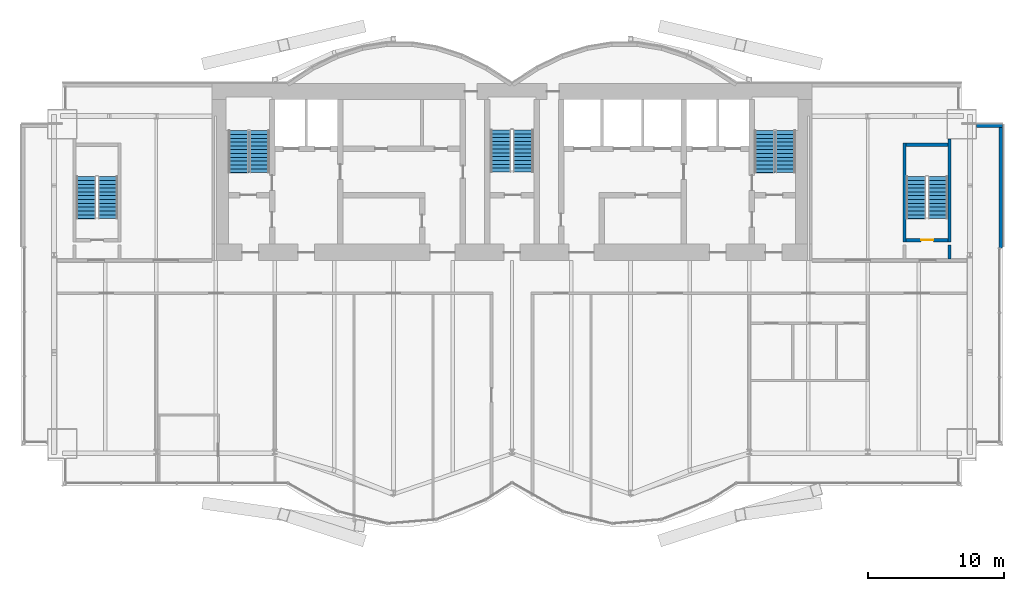
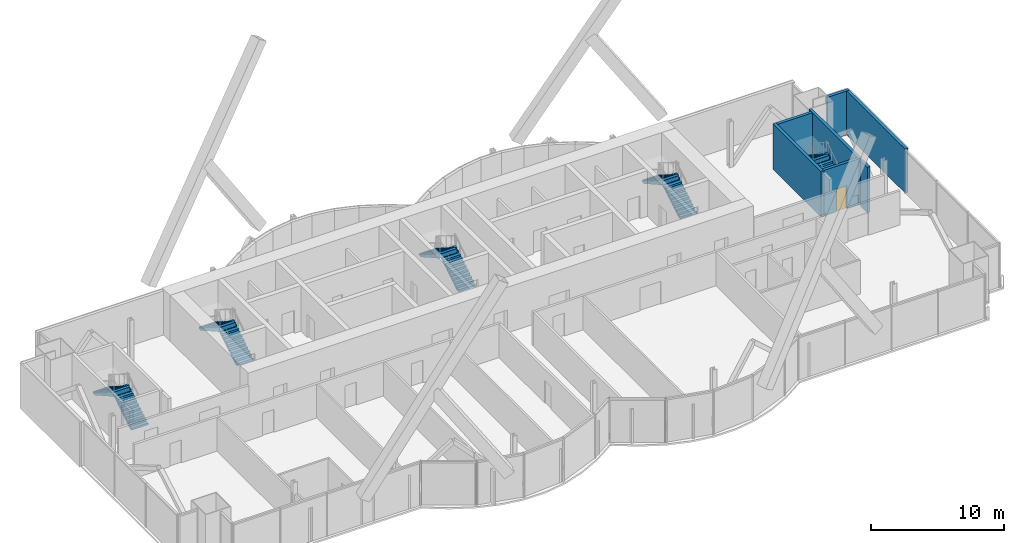
# One storey, part 19 of 22: 10 stair flights, 7 walls, 1 door, 1 opening, 5 elements without a shape of their own.
"""IFC4 building model written with IfcOpenShell, lengths in metres."""

from ifc_helpers import new_model, si_unit, direction, frame, frame_2d, origin, place, context, subcontext, project, spatial, polyline, rectangle, outline, extrude, material, layer, layer_set, layer_usage, type_object, element, fill, aggregate, save


model = new_model("IFC4")

# Units and contexts
model_context = context("Model", 3, precision=1e-05, world=origin(), true_north=direction((0.0, 1.0)))
body_context = subcontext(model_context, "Body", "Model", "MODEL_VIEW")
ifc_project = project(units=[si_unit("LENGTHUNIT", "METRE"), si_unit("AREAUNIT", "SQUARE_METRE"), si_unit("VOLUMEUNIT", "CUBIC_METRE"), si_unit("PLANEANGLEUNIT", "RADIAN"), si_unit("MASSUNIT", "GRAM", prefix="KILO")], contexts=[model_context])

# Site, building, storey
site_placement = place(None, origin())
site = spatial("IfcSite", under=ifc_project, at=site_placement, CompositionType="ELEMENT")
building_placement = place(site_placement, origin())
building = spatial("IfcBuilding", under=site, at=building_placement, Name="Bicima Exchange Tower", CompositionType="ELEMENT")
storey_placement = place(building_placement, frame((0.0, 0.0, 254.0)))
storey = spatial("IfcBuildingStorey", under=building, at=storey_placement, Name="L57", CompositionType="ELEMENT", Elevation=254.0)

# Walls
ifc_material_1 = material(Name="Concrete C50/60", Category="concrete")
ifc_layer_1 = layer(ifc_material_1, 0.25)
ifc_layer_set_1 = layer_set([ifc_layer_1], Name="Concrete C50/60")
wall_type_1 = type_object("IfcWallType", Name="RC core wall 250 C50/60", PredefinedType="SHEAR", material=ifc_layer_set_1)
wall_1_placement = place(storey_placement, frame((32.10009765625, -12.89990234375, 0.0), z_axis=(0.0, 0.0, 1.0), x_axis=(0.0, 1.0, 0.0)))
element("IfcWall", 1, at=wall_1_placement, inside=storey, type_object=wall_type_1, Name="stair wall 31", PredefinedType="SHEAR", context=body_context, shape_type="SweptSolid", body=[
    extrude(rectangle(XDim=1.0498046875, YDim=0.25, at=frame_2d((0.52490234375, 0.0))), origin(), (0.0, 0.0, 1.0), 4.199951171875),
])
ifc_layer_2 = layer(ifc_material_1, 0.25)
ifc_layer_set_2 = layer_set([ifc_layer_2], Name="Concrete C50/60")
wall_type_2 = type_object("IfcWallType", Name="RC stair enclosure wall 250 C50/60", PredefinedType="SHEAR", material=ifc_layer_set_2)
wall_2_placement = place(storey_placement, frame((28.800048828125, -11.625, 0.0), z_axis=(0.0, 0.0, 1.0), x_axis=(0.0, 1.0, 0.0)))
element("IfcWall", 2, at=wall_2_placement, inside=storey, type_object=wall_type_2, Name="East end exit stair wall W", PredefinedType="SHEAR", context=body_context, shape_type="SweptSolid", body=[
    extrude(rectangle(XDim=7.25, YDim=0.25, at=frame_2d((3.625, 0.0))), origin(), (0.0, 0.0, 1.0), 4.199951171875),
])
wall_3_placement = place(storey_placement, frame((32.10009765625, -11.625, 0.0), z_axis=(0.0, 0.0, 1.0), x_axis=(0.0, 1.0, 0.0)))
element("IfcWall", 3, at=wall_3_placement, inside=storey, type_object=wall_type_2, Name="East end exit stair wall E", PredefinedType="SHEAR", context=body_context, shape_type="SweptSolid", body=[
    extrude(rectangle(XDim=7.52490234375, YDim=0.25, at=frame_2d((3.762451171875, 0.0))), origin(), (0.0, 0.0, 1.0), 4.199951171875),
])

# Wall, opening, door
wall_4_placement = place(storey_placement, frame((28.925048828125, -11.5, 0.0), z_axis=(0.0, 0.0, 1.0), x_axis=(1.0, 0.0, 0.0)))
wall_4 = element("IfcWall", 4, at=wall_4_placement, inside=storey, type_object=wall_type_2, Name="East end exit stair wall S", PredefinedType="SHEAR", context=body_context, shape_type="SweptSolid", body=[
    extrude(rectangle(XDim=3.050048828125, YDim=0.25, at=frame_2d((1.52490234375, 0.0))), origin(), (0.0, 0.0, 1.0), 4.199951171875),
])
opening_placement = place(wall_4_placement, frame((1.10009765625, 0.0, 0.0)))
opening = element("IfcOpeningElement", 5, at=opening_placement, cuts=wall_4, Name="Opening L57-004", PredefinedType="OPENING", context=body_context, shape_type="SweptSolid", body=[
    extrude(rectangle(XDim=0.89990234375, YDim=2.10009765625, at=frame_2d((0.449951171875, 1.050048828125))), frame((0.0, 0.136962890625, 0.0), z_axis=(0.0, -1.0, 0.0), x_axis=(1.0, 0.0, 0.0)), (0.0, 0.0, 1.0), 0.27392578125),
])
ifc_material_2 = material(Name="Steel fire door leaf", Category="steel")
door_type = type_object("IfcDoorType", Name="Door 900 swing FD60S", OperationType="SINGLE_SWING_LEFT", PredefinedType="DOOR", material=ifc_material_2)
door_placement = place(opening_placement, origin())
door = element("IfcDoor", 6, at=door_placement, inside=storey, type_object=door_type, Name="Door", OperationType="SINGLE_SWING_LEFT", OverallHeight=2.10009765625, OverallWidth=0.89990234375, PredefinedType="DOOR", context=body_context, shape_type="SweptSolid", body=[
    extrude(rectangle(XDim=0.89990234375, YDim=2.10009765625, at=frame_2d((0.449951171875, 1.050048828125))), frame((0.0, 0.02490234375, 0.0), z_axis=(0.0, -1.0, 0.0), x_axis=(1.0, 0.0, 0.0)), (0.0, 0.0, 1.0), 0.050048828125),
])
fill(opening, door)

# Walls
wall_5_placement = place(storey_placement, frame((28.925048828125, -4.5, 0.0), z_axis=(0.0, 0.0, 1.0), x_axis=(1.0, 0.0, 0.0)))
element("IfcWall", 7, at=wall_5_placement, inside=storey, type_object=wall_type_2, Name="East end exit stair wall N", PredefinedType="SHEAR", context=body_context, shape_type="SweptSolid", body=[
    extrude(rectangle(XDim=3.050048828125, YDim=0.25, at=frame_2d((1.52490234375, 0.0))), origin(), (0.0, 0.0, 1.0), 4.199951171875),
])
ifc_material_3 = material(Name="Concrete C40/50", Category="concrete")
ifc_layer_3 = layer(ifc_material_3, 0.25)
ifc_layer_set_3 = layer_set([ifc_layer_3], Name="Concrete C40/50")
ifc_layer_usage = layer_usage(ifc_layer_set_3, "AXIS2", "POSITIVE", -0.125)
wall_type_3 = type_object("IfcWallType", Name="Rear backup wall 250", PredefinedType="STANDARD", material=ifc_layer_set_3)
wall_6_placement = place(storey_placement, frame((35.875, -12.090087890625, 0.0), z_axis=(0.0, 0.0, 1.0), x_axis=(0.0, 1.0, 0.0)))
element("IfcWall", 8, at=wall_6_placement, inside=storey, type_object=wall_type_3, material=ifc_layer_usage, Name="Rear backup wall L57 50", PredefinedType="STANDARD", context=body_context, shape_type="SweptSolid", body=[
    extrude(rectangle(XDim=9.090087890625, YDim=0.25, at=frame_2d((4.544921875, 0.0))), origin(), (0.0, 0.0, 1.0), 4.050048828125),
])
wall_7_placement = place(storey_placement, frame((36.0, -3.125, 0.0), z_axis=(0.0, 0.0, 1.0), x_axis=(-1.0, 0.0, 0.0)))
element("IfcWall", 9, at=wall_7_placement, inside=storey, type_object=wall_type_3, material=ifc_layer_usage, Name="Rear backup wall L57 51", PredefinedType="STANDARD", context=body_context, shape_type="SweptSolid", body=[
    extrude(rectangle(XDim=1.89990234375, YDim=0.25, at=frame_2d((0.949951171875, 0.0))), origin(), (0.0, 0.0, 1.0), 4.050048828125),
])

# Stair, stair flights
stair_type_1 = type_object("IfcStairType", Name="Exit stair", PredefinedType="HALF_TURN_STAIR", material=ifc_material_1)
stair_1_placement = place(storey_placement, origin())
stair_1 = element("IfcStair", 10, at=stair_1_placement, inside=storey, type_object=stair_type_1, Name="L57 West exit stair", PredefinedType="HALF_TURN_STAIR")
stair_flight_type_1 = type_object("IfcStairFlightType", Name="Stair flight RC", PredefinedType="STRAIGHT", material=ifc_material_1)
stair_flight_1_placement = place(storey_placement, frame((-18.52490234375, -6.550048828125, 0.0), z_axis=(0.0, 0.0, 1.0), x_axis=(0.0, 1.0, 0.0)))
stair_flight_1 = element("IfcStairFlight", 11, at=stair_flight_1_placement, type_object=stair_flight_type_1, Name="ST-W flight 1", NumberOfRisers=12, NumberOfTreads=11, PredefinedType="STRAIGHT", RiserHeight=0.175, TreadLength=0.28, context=body_context, shape_type="SweptSolid", body=[
    extrude(outline(polyline([(0.0, 0.0), (0.0, 0.175048828125), (0.280029296875, 0.175048828125), (0.280029296875, 0.35009765625), (0.56005859375, 0.35009765625), (0.56005859375, 0.52490234375), (0.840087890625, 0.52490234375), (0.840087890625, 0.699951171875), (1.1201171875, 0.699951171875), (1.1201171875, 0.875), (1.39990234375, 0.875), (1.39990234375, 1.050048828125), (1.679931640625, 1.050048828125), (1.679931640625, 1.22509765625), (1.9599609375, 1.22509765625), (1.9599609375, 1.39990234375), (2.239990234375, 1.39990234375), (2.239990234375, 1.574951171875), (2.52001953125, 1.574951171875), (2.52001953125, 1.75), (2.800048828125, 1.75), (2.800048828125, 1.925048828125), (3.080078125, 1.925048828125), (3.080078125, 2.10009765625), (3.080078125, 1.748291015625), (0.28271484375, 0.0), (0.0, 0.0)])), frame((0.0, 0.72509765625, 0.0), z_axis=(0.0, -1.0, 0.0), x_axis=(1.0, 0.0, 0.0)), (0.0, 0.0, 1.0), 1.449951171875),
])
stair_flight_2_placement = place(storey_placement, frame((-20.074951171875, -3.469970703125, 2.10009765625), z_axis=(0.0, 0.0, 1.0), x_axis=(0.0, -1.0, 0.0)))
stair_flight_2 = element("IfcStairFlight", 12, at=stair_flight_2_placement, type_object=stair_flight_type_1, Name="ST-W flight 2", NumberOfRisers=12, NumberOfTreads=11, PredefinedType="STRAIGHT", RiserHeight=0.175, TreadLength=0.28, context=body_context, shape_type="SweptSolid", body=[
    extrude(outline(polyline([(0.0, 0.0), (0.0, 0.175048828125), (0.280029296875, 0.175048828125), (0.280029296875, 0.35009765625), (0.56005859375, 0.35009765625), (0.56005859375, 0.52490234375), (0.840087890625, 0.52490234375), (0.840087890625, 0.699951171875), (1.1201171875, 0.699951171875), (1.1201171875, 0.875), (1.39990234375, 0.875), (1.39990234375, 1.050048828125), (1.679931640625, 1.050048828125), (1.679931640625, 1.22509765625), (1.9599609375, 1.22509765625), (1.9599609375, 1.39990234375), (2.239990234375, 1.39990234375), (2.239990234375, 1.574951171875), (2.52001953125, 1.574951171875), (2.52001953125, 1.75), (2.800048828125, 1.75), (2.800048828125, 1.925048828125), (3.080078125, 1.925048828125), (3.080078125, 1.9541015625), (3.094970703125, 1.9541015625), (3.094970703125, 1.58251953125), (0.28271484375, 0.0), (0.0, 0.0)])), frame((0.0, 0.72509765625, 0.0), z_axis=(0.0, -1.0, 0.0), x_axis=(1.0, 0.0, 0.0)), (0.0, 0.0, 1.0), 1.449951171875),
])
aggregate(stair_1, [stair_flight_1, stair_flight_2])

stair_2_placement = place(storey_placement, origin())
stair_2 = element("IfcStair", 13, at=stair_2_placement, inside=storey, type_object=stair_type_1, Name="L57 East exit stair", PredefinedType="HALF_TURN_STAIR")
stair_flight_3_placement = place(storey_placement, frame((20.074951171875, -6.550048828125, 0.0), z_axis=(0.0, 0.0, 1.0), x_axis=(0.0, 1.0, 0.0)))
stair_flight_3 = element("IfcStairFlight", 14, at=stair_flight_3_placement, type_object=stair_flight_type_1, Name="ST-E flight 1", NumberOfRisers=12, NumberOfTreads=11, PredefinedType="STRAIGHT", RiserHeight=0.175, TreadLength=0.28, context=body_context, shape_type="SweptSolid", body=[
    extrude(outline(polyline([(0.0, 0.0), (0.0, 0.175048828125), (0.280029296875, 0.175048828125), (0.280029296875, 0.35009765625), (0.56005859375, 0.35009765625), (0.56005859375, 0.52490234375), (0.840087890625, 0.52490234375), (0.840087890625, 0.699951171875), (1.1201171875, 0.699951171875), (1.1201171875, 0.875), (1.39990234375, 0.875), (1.39990234375, 1.050048828125), (1.679931640625, 1.050048828125), (1.679931640625, 1.22509765625), (1.9599609375, 1.22509765625), (1.9599609375, 1.39990234375), (2.239990234375, 1.39990234375), (2.239990234375, 1.574951171875), (2.52001953125, 1.574951171875), (2.52001953125, 1.75), (2.800048828125, 1.75), (2.800048828125, 1.925048828125), (3.080078125, 1.925048828125), (3.080078125, 2.10009765625), (3.080078125, 1.748291015625), (0.28271484375, 0.0), (0.0, 0.0)])), frame((0.0, 0.72509765625, 0.0), z_axis=(0.0, -1.0, 0.0), x_axis=(1.0, 0.0, 0.0)), (0.0, 0.0, 1.0), 1.449951171875),
])
stair_flight_4_placement = place(storey_placement, frame((18.52490234375, -3.469970703125, 2.10009765625), z_axis=(0.0, 0.0, 1.0), x_axis=(0.0, -1.0, 0.0)))
stair_flight_4 = element("IfcStairFlight", 15, at=stair_flight_4_placement, type_object=stair_flight_type_1, Name="ST-E flight 2", NumberOfRisers=12, NumberOfTreads=11, PredefinedType="STRAIGHT", RiserHeight=0.175, TreadLength=0.28, context=body_context, shape_type="SweptSolid", body=[
    extrude(outline(polyline([(0.0, 0.0), (0.0, 0.175048828125), (0.280029296875, 0.175048828125), (0.280029296875, 0.35009765625), (0.56005859375, 0.35009765625), (0.56005859375, 0.52490234375), (0.840087890625, 0.52490234375), (0.840087890625, 0.699951171875), (1.1201171875, 0.699951171875), (1.1201171875, 0.875), (1.39990234375, 0.875), (1.39990234375, 1.050048828125), (1.679931640625, 1.050048828125), (1.679931640625, 1.22509765625), (1.9599609375, 1.22509765625), (1.9599609375, 1.39990234375), (2.239990234375, 1.39990234375), (2.239990234375, 1.574951171875), (2.52001953125, 1.574951171875), (2.52001953125, 1.75), (2.800048828125, 1.75), (2.800048828125, 1.925048828125), (3.080078125, 1.925048828125), (3.080078125, 1.9541015625), (3.094970703125, 1.9541015625), (3.094970703125, 1.58251953125), (0.28271484375, 0.0), (0.0, 0.0)])), frame((0.0, 0.72509765625, 0.0), z_axis=(0.0, -1.0, 0.0), x_axis=(1.0, 0.0, 0.0)), (0.0, 0.0, 1.0), 1.449951171875),
])
aggregate(stair_2, [stair_flight_3, stair_flight_4])

stair_3_placement = place(storey_placement, origin())
stair_3 = element("IfcStair", 16, at=stair_3_placement, inside=storey, type_object=stair_type_1, Name="L57 West end exit stair", PredefinedType="HALF_TURN_STAIR")
stair_flight_5_placement = place(storey_placement, frame((-29.64990234375, -9.925048828125, 0.0), z_axis=(0.0, 0.0, 1.0), x_axis=(0.0, 1.0, 0.0)))
stair_flight_5 = element("IfcStairFlight", 17, at=stair_flight_5_placement, type_object=stair_flight_type_1, Name="ST-WW flight 1", NumberOfRisers=12, NumberOfTreads=11, PredefinedType="STRAIGHT", RiserHeight=0.175, TreadLength=0.28, context=body_context, shape_type="SweptSolid", body=[
    extrude(outline(polyline([(0.0, 0.0), (0.0, 0.175048828125), (0.280029296875, 0.175048828125), (0.280029296875, 0.35009765625), (0.56005859375, 0.35009765625), (0.56005859375, 0.52490234375), (0.840087890625, 0.52490234375), (0.840087890625, 0.699951171875), (1.1201171875, 0.699951171875), (1.1201171875, 0.875), (1.39990234375, 0.875), (1.39990234375, 1.050048828125), (1.679931640625, 1.050048828125), (1.679931640625, 1.22509765625), (1.9599609375, 1.22509765625), (1.9599609375, 1.39990234375), (2.239990234375, 1.39990234375), (2.239990234375, 1.574951171875), (2.52001953125, 1.574951171875), (2.52001953125, 1.75), (2.800048828125, 1.75), (2.800048828125, 1.925048828125), (3.080078125, 1.925048828125), (3.080078125, 2.10009765625), (3.080078125, 1.748291015625), (0.28271484375, 0.0), (0.0, 0.0)])), frame((0.0, 0.72509765625, 0.0), z_axis=(0.0, -1.0, 0.0), x_axis=(1.0, 0.0, 0.0)), (0.0, 0.0, 1.0), 1.449951171875),
])
stair_flight_6_placement = place(storey_placement, frame((-31.25, -6.844970703125, 2.10009765625), z_axis=(0.0, 0.0, 1.0), x_axis=(0.0, -1.0, 0.0)))
stair_flight_6 = element("IfcStairFlight", 18, at=stair_flight_6_placement, type_object=stair_flight_type_1, Name="ST-WW flight 2", NumberOfRisers=12, NumberOfTreads=11, PredefinedType="STRAIGHT", RiserHeight=0.175, TreadLength=0.28, context=body_context, shape_type="SweptSolid", body=[
    extrude(outline(polyline([(0.0, 0.0), (0.0, 0.175048828125), (0.280029296875, 0.175048828125), (0.280029296875, 0.35009765625), (0.56005859375, 0.35009765625), (0.56005859375, 0.52490234375), (0.840087890625, 0.52490234375), (0.840087890625, 0.699951171875), (1.1201171875, 0.699951171875), (1.1201171875, 0.875), (1.39990234375, 0.875), (1.39990234375, 1.050048828125), (1.679931640625, 1.050048828125), (1.679931640625, 1.22509765625), (1.9599609375, 1.22509765625), (1.9599609375, 1.39990234375), (2.239990234375, 1.39990234375), (2.239990234375, 1.574951171875), (2.52001953125, 1.574951171875), (2.52001953125, 1.75), (2.800048828125, 1.75), (2.800048828125, 1.925048828125), (3.080078125, 1.925048828125), (3.080078125, 1.9541015625), (3.094970703125, 1.9541015625), (3.094970703125, 1.58251953125), (0.28271484375, 0.0), (0.0, 0.0)])), frame((0.0, 0.72509765625, 0.0), z_axis=(0.0, -1.0, 0.0), x_axis=(1.0, 0.0, 0.0)), (0.0, 0.0, 1.0), 1.449951171875),
])
aggregate(stair_3, [stair_flight_5, stair_flight_6])

stair_4_placement = place(storey_placement, origin())
stair_4 = element("IfcStair", 19, at=stair_4_placement, inside=storey, type_object=stair_type_1, Name="L57 East end exit stair", PredefinedType="HALF_TURN_STAIR")
stair_flight_7_placement = place(storey_placement, frame((31.25, -9.925048828125, 0.0), z_axis=(0.0, 0.0, 1.0), x_axis=(0.0, 1.0, 0.0)))
stair_flight_7 = element("IfcStairFlight", 20, at=stair_flight_7_placement, type_object=stair_flight_type_1, Name="ST-EE flight 1", NumberOfRisers=12, NumberOfTreads=11, PredefinedType="STRAIGHT", RiserHeight=0.175, TreadLength=0.28, context=body_context, shape_type="SweptSolid", body=[
    extrude(outline(polyline([(0.0, 0.0), (0.0, 0.175048828125), (0.280029296875, 0.175048828125), (0.280029296875, 0.35009765625), (0.56005859375, 0.35009765625), (0.56005859375, 0.52490234375), (0.840087890625, 0.52490234375), (0.840087890625, 0.699951171875), (1.1201171875, 0.699951171875), (1.1201171875, 0.875), (1.39990234375, 0.875), (1.39990234375, 1.050048828125), (1.679931640625, 1.050048828125), (1.679931640625, 1.22509765625), (1.9599609375, 1.22509765625), (1.9599609375, 1.39990234375), (2.239990234375, 1.39990234375), (2.239990234375, 1.574951171875), (2.52001953125, 1.574951171875), (2.52001953125, 1.75), (2.800048828125, 1.75), (2.800048828125, 1.925048828125), (3.080078125, 1.925048828125), (3.080078125, 2.10009765625), (3.080078125, 1.748291015625), (0.28271484375, 0.0), (0.0, 0.0)])), frame((0.0, 0.72509765625, 0.0), z_axis=(0.0, -1.0, 0.0), x_axis=(1.0, 0.0, 0.0)), (0.0, 0.0, 1.0), 1.449951171875),
])
stair_flight_8_placement = place(storey_placement, frame((29.64990234375, -6.844970703125, 2.10009765625), z_axis=(0.0, 0.0, 1.0), x_axis=(0.0, -1.0, 0.0)))
stair_flight_8 = element("IfcStairFlight", 21, at=stair_flight_8_placement, type_object=stair_flight_type_1, Name="ST-EE flight 2", NumberOfRisers=12, NumberOfTreads=11, PredefinedType="STRAIGHT", RiserHeight=0.175, TreadLength=0.28, context=body_context, shape_type="SweptSolid", body=[
    extrude(outline(polyline([(0.0, 0.0), (0.0, 0.175048828125), (0.280029296875, 0.175048828125), (0.280029296875, 0.35009765625), (0.56005859375, 0.35009765625), (0.56005859375, 0.52490234375), (0.840087890625, 0.52490234375), (0.840087890625, 0.699951171875), (1.1201171875, 0.699951171875), (1.1201171875, 0.875), (1.39990234375, 0.875), (1.39990234375, 1.050048828125), (1.679931640625, 1.050048828125), (1.679931640625, 1.22509765625), (1.9599609375, 1.22509765625), (1.9599609375, 1.39990234375), (2.239990234375, 1.39990234375), (2.239990234375, 1.574951171875), (2.52001953125, 1.574951171875), (2.52001953125, 1.75), (2.800048828125, 1.75), (2.800048828125, 1.925048828125), (3.080078125, 1.925048828125), (3.080078125, 1.9541015625), (3.094970703125, 1.9541015625), (3.094970703125, 1.58251953125), (0.28271484375, 0.0), (0.0, 0.0)])), frame((0.0, 0.72509765625, 0.0), z_axis=(0.0, -1.0, 0.0), x_axis=(1.0, 0.0, 0.0)), (0.0, 0.0, 1.0), 1.449951171875),
])
aggregate(stair_4, [stair_flight_7, stair_flight_8])

stair_type_2 = type_object("IfcStairType", Name="Exit stair 1500", PredefinedType="HALF_TURN_STAIR", material=ifc_material_1)
stair_5_placement = place(storey_placement, origin())
stair_5 = element("IfcStair", 22, at=stair_5_placement, inside=storey, type_object=stair_type_2, Name="L57 Central exit stair", PredefinedType="HALF_TURN_STAIR")
stair_flight_type_2 = type_object("IfcStairFlightType", Name="Stair flight RC 1500", PredefinedType="STRAIGHT", material=ifc_material_1)
stair_flight_9_placement = place(storey_placement, frame((0.824951171875, -6.5, 0.0), z_axis=(0.0, 0.0, 1.0), x_axis=(0.0, 1.0, 0.0)))
stair_flight_9 = element("IfcStairFlight", 23, at=stair_flight_9_placement, type_object=stair_flight_type_2, Name="ST-C flight 1", NumberOfRisers=12, NumberOfTreads=11, PredefinedType="STRAIGHT", RiserHeight=0.175, TreadLength=0.28, context=body_context, shape_type="SweptSolid", body=[
    extrude(outline(polyline([(0.0, 0.0), (0.0, 0.175048828125), (0.280029296875, 0.175048828125), (0.280029296875, 0.35009765625), (0.56005859375, 0.35009765625), (0.56005859375, 0.52490234375), (0.840087890625, 0.52490234375), (0.840087890625, 0.699951171875), (1.1201171875, 0.699951171875), (1.1201171875, 0.875), (1.39990234375, 0.875), (1.39990234375, 1.050048828125), (1.679931640625, 1.050048828125), (1.679931640625, 1.22509765625), (1.9599609375, 1.22509765625), (1.9599609375, 1.39990234375), (2.239990234375, 1.39990234375), (2.239990234375, 1.574951171875), (2.52001953125, 1.574951171875), (2.52001953125, 1.75), (2.800048828125, 1.75), (2.800048828125, 1.925048828125), (3.080078125, 1.925048828125), (3.080078125, 2.10009765625), (3.080078125, 1.748291015625), (0.28271484375, 0.0), (0.0, 0.0)])), frame((0.0, 0.75, 0.0), z_axis=(0.0, -1.0, 0.0), x_axis=(1.0, 0.0, 0.0)), (0.0, 0.0, 1.0), 1.5),
])
stair_flight_10_placement = place(storey_placement, frame((-0.824951171875, -3.419921875, 2.10009765625), z_axis=(0.0, 0.0, 1.0), x_axis=(0.0, -1.0, 0.0)))
stair_flight_10 = element("IfcStairFlight", 24, at=stair_flight_10_placement, type_object=stair_flight_type_2, Name="ST-C flight 2", NumberOfRisers=12, NumberOfTreads=11, PredefinedType="STRAIGHT", RiserHeight=0.175, TreadLength=0.28, context=body_context, shape_type="SweptSolid", body=[
    extrude(outline(polyline([(0.0, 0.0), (0.0, 0.175048828125), (0.280029296875, 0.175048828125), (0.280029296875, 0.35009765625), (0.56005859375, 0.35009765625), (0.56005859375, 0.52490234375), (0.840087890625, 0.52490234375), (0.840087890625, 0.699951171875), (1.1201171875, 0.699951171875), (1.1201171875, 0.875), (1.39990234375, 0.875), (1.39990234375, 1.050048828125), (1.679931640625, 1.050048828125), (1.679931640625, 1.22509765625), (1.9599609375, 1.22509765625), (1.9599609375, 1.39990234375), (2.239990234375, 1.39990234375), (2.239990234375, 1.574951171875), (2.52001953125, 1.574951171875), (2.52001953125, 1.75), (2.800048828125, 1.75), (2.800048828125, 1.925048828125), (3.080078125, 1.925048828125), (3.080078125, 1.9541015625), (3.094970703125, 1.9541015625), (3.094970703125, 1.58251953125), (0.28271484375, 0.0), (0.0, 0.0)])), frame((0.0, 0.75, 0.0), z_axis=(0.0, -1.0, 0.0), x_axis=(1.0, 0.0, 0.0)), (0.0, 0.0, 1.0), 1.5),
])
aggregate(stair_5, [stair_flight_9, stair_flight_10])

save(model, "model.ifc")
